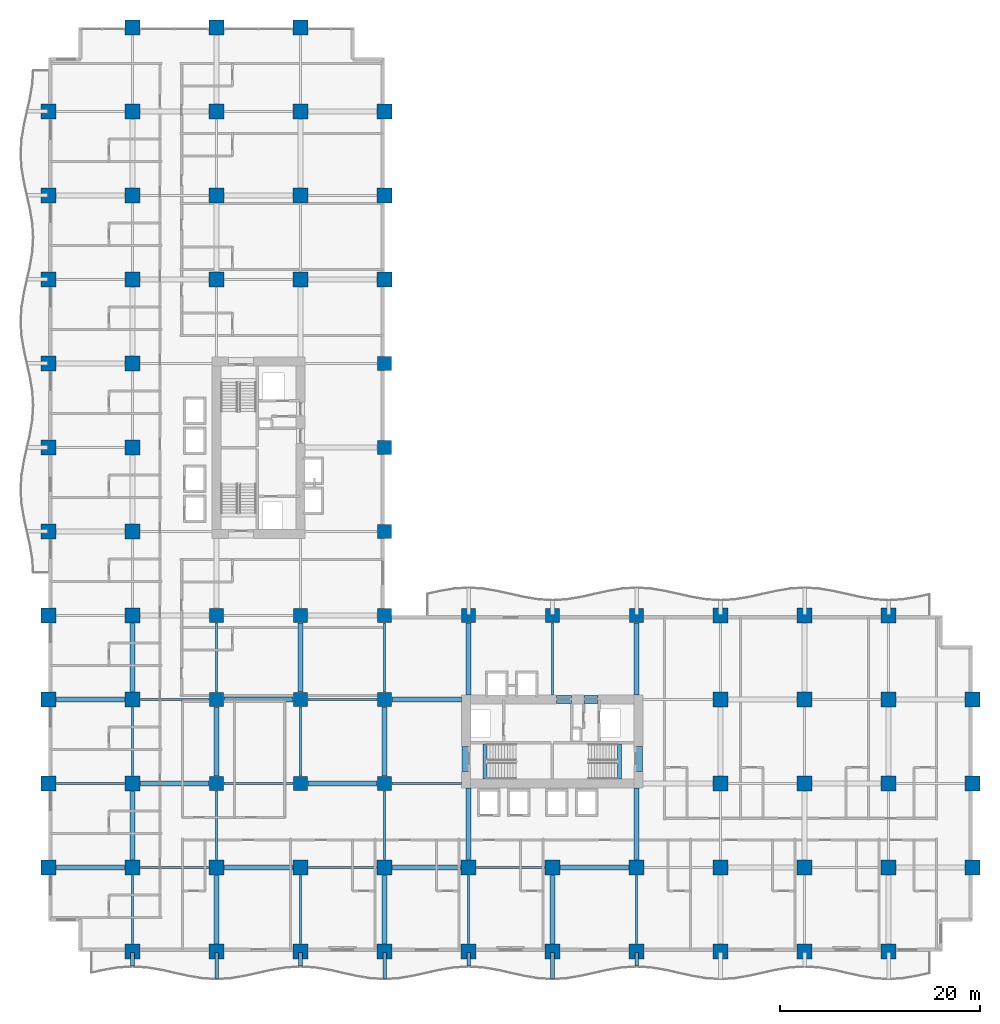
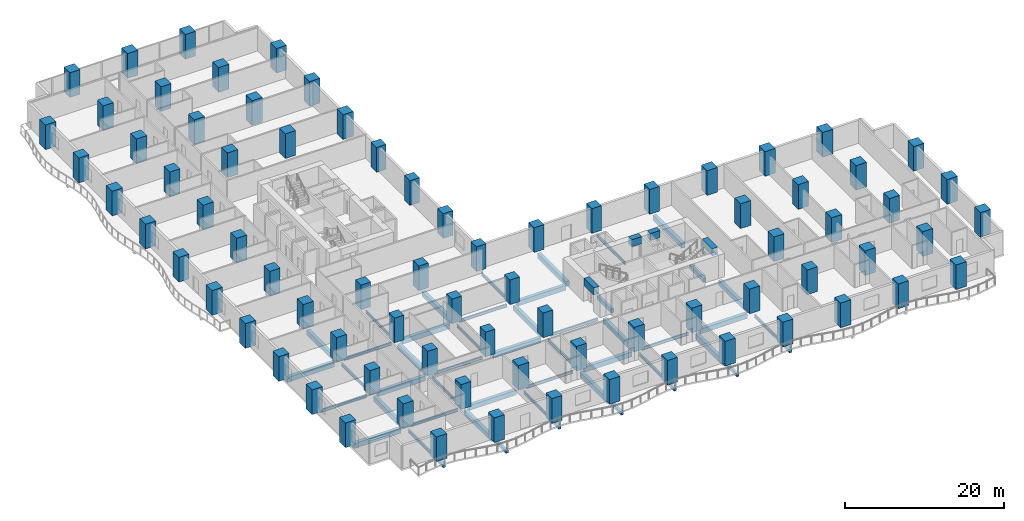
# One storey, part 1 of 23: 78 columns, 53 beams.
"""IFC4 building model written with IfcOpenShell, lengths in metres."""

from ifc_helpers import new_model, si_unit, direction, frame, origin, origin_2d, place, context, subcontext, project, spatial, rectangle, i_section, extrude, material, material_profile, profile_set, type_object, element, save


model = new_model("IFC4")

# Units and contexts
model_context = context("Model", 3, precision=1e-05, world=origin(), true_north=direction((0.0, 1.0)))
body_context = subcontext(model_context, "Body", "Model", "MODEL_VIEW")
ifc_project = project(units=[si_unit("LENGTHUNIT", "METRE"), si_unit("AREAUNIT", "SQUARE_METRE"), si_unit("VOLUMEUNIT", "CUBIC_METRE"), si_unit("PLANEANGLEUNIT", "RADIAN"), si_unit("MASSUNIT", "GRAM", prefix="KILO")], contexts=[model_context])

# Site, building, storey
site_placement = place(None, origin())
site = spatial("IfcSite", under=ifc_project, at=site_placement, CompositionType="ELEMENT")
building_placement = place(site_placement, origin())
building = spatial("IfcBuilding", under=site, at=building_placement, Name="Koriwani Terraces Tower", CompositionType="ELEMENT")
storey_placement = place(building_placement, frame((0.0, 0.0, 32.0)))
storey = spatial("IfcBuildingStorey", under=building, at=storey_placement, Name="L06", CompositionType="ELEMENT", Elevation=32.0)

# Columns
ifc_material_1 = material(Name="Concrete C60/75", Category="concrete")
ifc_material_profile_1 = material_profile(ifc_material_1, rectangle(XDim=1.39990234375, YDim=1.39990234375, at=origin_2d()), Name="Concrete C60/75", Category="LoadBearing")
ifc_profile_set_1 = profile_set([ifc_material_profile_1], Name="Concrete C60/75")
column_type_1 = type_object("IfcColumnType", Name="COL_RC_1400X1400", PredefinedType="COLUMN", material=ifc_profile_set_1)
for number, where, z_axis, x_axis, name in (
    (1, (16.800048828125, 16.800048828125, 0.0), (0.0, 0.0, 1.0), (1.0, 0.0, 0.0), "L06 Column 3/C"),
    (2, (16.800048828125, 25.199951171875, 0.0), (0.0, 0.0, 1.0), (1.0, 0.0, 0.0), "L06 Column 3/D"),
    (3, (16.800048828125, 33.60009765625, 0.0), (0.0, 0.0, 1.0), (1.0, 0.0, 0.0), "L06 Column 3/E"),
    (4, (25.199951171875, 16.800048828125, 0.0), (0.0, 0.0, 1.0), (1.0, 0.0, 0.0), "L06 Column 4/C"),
    (5, (25.199951171875, 25.199951171875, 0.0), (0.0, 0.0, 1.0), (1.0, 0.0, 0.0), "L06 Column 4/D"),
    (6, (25.199951171875, 33.60009765625, 0.0), (0.0, 0.0, 1.0), (1.0, 0.0, 0.0), "L06 Column 4/E"),
    (7, (33.60009765625, 16.800048828125, 0.0), (0.0, 0.0, 1.0), (1.0, 0.0, 0.0), "L06 Column 5/C"),
    (8, (33.60009765625, 25.199951171875, 0.0), (0.0, 0.0, 1.0), (1.0, 0.0, 0.0), "L06 Column 5/D"),
    (9, (33.60009765625, 33.60009765625, 0.0), (0.0, 0.0, 1.0), (1.0, 0.0, 0.0), "L06 Column 5/E"),
    (10, (33.60009765625, 42.0, 0.0), (0.0, 0.0, 1.0), (1.0, 0.0, 0.0), "L06 Column 5/F"),
    (11, (33.60009765625, 50.39990234375, 0.0), (0.0, 0.0, 1.0), (1.0, 0.0, 0.0), "L06 Column 5/G"),
    (12, (33.60009765625, 58.800048828125, 0.0), (0.0, 0.0, 1.0), (1.0, 0.0, 0.0), "L06 Column 5/H"),
    (13, (42.0, 33.60009765625, 0.0), (0.0, 0.0, 1.0), (1.0, 0.0, 0.0), "L06 Column 6/E"),
    (14, (50.39990234375, 33.60009765625, 0.0), (0.0, 0.0, 1.0), (1.0, 0.0, 0.0), "L06 Column 7/E"),
    (15, (58.800048828125, 33.60009765625, 0.0), (0.0, 0.0, 1.0), (1.0, 0.0, 0.0), "L06 Column 8/E"),
):
    element("IfcColumn", number, at=place(storey_placement, frame(where, z_axis=z_axis, x_axis=x_axis)), inside=storey, type_object=column_type_1, Name=name, PredefinedType="COLUMN", context=body_context, shape_type="SweptSolid", body=[
        extrude(rectangle(XDim=1.39990234375, YDim=1.39990234375, at=origin_2d()), origin(), (0.0, 0.0, 1.0), 3.800048828125),
    ])
ifc_material_profile_2 = material_profile(ifc_material_1, rectangle(XDim=1.5, YDim=1.5, at=origin_2d()), Name="Concrete C60/75", Category="LoadBearing")
ifc_profile_set_2 = profile_set([ifc_material_profile_2], Name="Concrete C60/75")
column_type_2 = type_object("IfcColumnType", Name="COL_RC_1500X1500", PredefinedType="COLUMN", material=ifc_profile_set_2)
for number, where, z_axis, x_axis, name in (
    (16, (0.0, 8.39990234375, 0.0), (0.0, 0.0, 1.0), (1.0, 0.0, 0.0), "L06 Column 1/B"),
    (17, (0.0, 16.800048828125, 0.0), (0.0, 0.0, 1.0), (1.0, 0.0, 0.0), "L06 Column 1/C"),
    (18, (0.0, 25.199951171875, 0.0), (0.0, 0.0, 1.0), (1.0, 0.0, 0.0), "L06 Column 1/D"),
    (19, (0.0, 33.60009765625, 0.0), (0.0, 0.0, 1.0), (1.0, 0.0, 0.0), "L06 Column 1/E"),
    (20, (0.0, 42.0, 0.0), (0.0, 0.0, 1.0), (1.0, 0.0, 0.0), "L06 Column 1/F"),
    (21, (0.0, 50.39990234375, 0.0), (0.0, 0.0, 1.0), (1.0, 0.0, 0.0), "L06 Column 1/G"),
    (22, (0.0, 58.800048828125, 0.0), (0.0, 0.0, 1.0), (1.0, 0.0, 0.0), "L06 Column 1/H"),
    (23, (0.0, 67.199951171875, 0.0), (0.0, 0.0, 1.0), (1.0, 0.0, 0.0), "L06 Column 1/I"),
    (24, (0.0, 75.60009765625, 0.0), (0.0, 0.0, 1.0), (1.0, 0.0, 0.0), "L06 Column 1/J"),
    (25, (0.0, 84.0, 0.0), (0.0, 0.0, 1.0), (1.0, 0.0, 0.0), "L06 Column 1/K"),
    (26, (8.39990234375, 0.0, 0.0), (0.0, 0.0, 1.0), (1.0, 0.0, 0.0), "L06 Column 2/A"),
    (27, (8.39990234375, 8.39990234375, 0.0), (0.0, 0.0, 1.0), (1.0, 0.0, 0.0), "L06 Column 2/B"),
    (28, (8.39990234375, 16.800048828125, 0.0), (0.0, 0.0, 1.0), (1.0, 0.0, 0.0), "L06 Column 2/C"),
    (29, (8.39990234375, 25.199951171875, 0.0), (0.0, 0.0, 1.0), (1.0, 0.0, 0.0), "L06 Column 2/D"),
    (30, (8.39990234375, 33.60009765625, 0.0), (0.0, 0.0, 1.0), (1.0, 0.0, 0.0), "L06 Column 2/E"),
    (31, (8.39990234375, 42.0, 0.0), (0.0, 0.0, 1.0), (1.0, 0.0, 0.0), "L06 Column 2/F"),
    (32, (8.39990234375, 50.39990234375, 0.0), (0.0, 0.0, 1.0), (1.0, 0.0, 0.0), "L06 Column 2/G"),
    (33, (8.39990234375, 58.800048828125, 0.0), (0.0, 0.0, 1.0), (1.0, 0.0, 0.0), "L06 Column 2/H"),
    (34, (8.39990234375, 67.199951171875, 0.0), (0.0, 0.0, 1.0), (1.0, 0.0, 0.0), "L06 Column 2/I"),
    (35, (8.39990234375, 75.60009765625, 0.0), (0.0, 0.0, 1.0), (1.0, 0.0, 0.0), "L06 Column 2/J"),
    (36, (8.39990234375, 84.0, 0.0), (0.0, 0.0, 1.0), (1.0, 0.0, 0.0), "L06 Column 2/K"),
    (37, (8.39990234375, 92.39990234375, 0.0), (0.0, 0.0, 1.0), (1.0, 0.0, 0.0), "L06 Column 2/L"),
    (38, (16.800048828125, 0.0, 0.0), (0.0, 0.0, 1.0), (1.0, 0.0, 0.0), "L06 Column 3/A"),
    (39, (16.800048828125, 8.39990234375, 0.0), (0.0, 0.0, 1.0), (1.0, 0.0, 0.0), "L06 Column 3/B"),
    (40, (16.800048828125, 67.199951171875, 0.0), (0.0, 0.0, 1.0), (1.0, 0.0, 0.0), "L06 Column 3/I"),
    (41, (16.800048828125, 75.60009765625, 0.0), (0.0, 0.0, 1.0), (1.0, 0.0, 0.0), "L06 Column 3/J"),
    (42, (16.800048828125, 84.0, 0.0), (0.0, 0.0, 1.0), (1.0, 0.0, 0.0), "L06 Column 3/K"),
    (43, (16.800048828125, 92.39990234375, 0.0), (0.0, 0.0, 1.0), (1.0, 0.0, 0.0), "L06 Column 3/L"),
    (44, (25.199951171875, 0.0, 0.0), (0.0, 0.0, 1.0), (1.0, 0.0, 0.0), "L06 Column 4/A"),
    (45, (25.199951171875, 8.39990234375, 0.0), (0.0, 0.0, 1.0), (1.0, 0.0, 0.0), "L06 Column 4/B"),
    (46, (25.199951171875, 67.199951171875, 0.0), (0.0, 0.0, 1.0), (1.0, 0.0, 0.0), "L06 Column 4/I"),
    (47, (25.199951171875, 75.60009765625, 0.0), (0.0, 0.0, 1.0), (1.0, 0.0, 0.0), "L06 Column 4/J"),
    (48, (25.199951171875, 84.0, 0.0), (0.0, 0.0, 1.0), (1.0, 0.0, 0.0), "L06 Column 4/K"),
    (49, (25.199951171875, 92.39990234375, 0.0), (0.0, 0.0, 1.0), (1.0, 0.0, 0.0), "L06 Column 4/L"),
    (50, (33.60009765625, 0.0, 0.0), (0.0, 0.0, 1.0), (1.0, 0.0, 0.0), "L06 Column 5/A"),
    (51, (33.60009765625, 8.39990234375, 0.0), (0.0, 0.0, 1.0), (1.0, 0.0, 0.0), "L06 Column 5/B"),
    (52, (33.60009765625, 67.199951171875, 0.0), (0.0, 0.0, 1.0), (1.0, 0.0, 0.0), "L06 Column 5/I"),
    (53, (33.60009765625, 75.60009765625, 0.0), (0.0, 0.0, 1.0), (1.0, 0.0, 0.0), "L06 Column 5/J"),
    (54, (33.60009765625, 84.0, 0.0), (0.0, 0.0, 1.0), (1.0, 0.0, 0.0), "L06 Column 5/K"),
    (55, (42.0, 0.0, 0.0), (0.0, 0.0, 1.0), (1.0, 0.0, 0.0), "L06 Column 6/A"),
    (56, (42.0, 8.39990234375, 0.0), (0.0, 0.0, 1.0), (1.0, 0.0, 0.0), "L06 Column 6/B"),
    (57, (50.39990234375, 0.0, 0.0), (0.0, 0.0, 1.0), (1.0, 0.0, 0.0), "L06 Column 7/A"),
    (58, (50.39990234375, 8.39990234375, 0.0), (0.0, 0.0, 1.0), (1.0, 0.0, 0.0), "L06 Column 7/B"),
    (59, (58.800048828125, 0.0, 0.0), (0.0, 0.0, 1.0), (1.0, 0.0, 0.0), "L06 Column 8/A"),
    (60, (58.800048828125, 8.39990234375, 0.0), (0.0, 0.0, 1.0), (1.0, 0.0, 0.0), "L06 Column 8/B"),
    (61, (67.199951171875, 0.0, 0.0), (0.0, 0.0, 1.0), (1.0, 0.0, 0.0), "L06 Column 9/A"),
    (62, (67.199951171875, 8.39990234375, 0.0), (0.0, 0.0, 1.0), (1.0, 0.0, 0.0), "L06 Column 9/B"),
    (63, (67.199951171875, 16.800048828125, 0.0), (0.0, 0.0, 1.0), (1.0, 0.0, 0.0), "L06 Column 9/C"),
    (64, (67.199951171875, 25.199951171875, 0.0), (0.0, 0.0, 1.0), (1.0, 0.0, 0.0), "L06 Column 9/D"),
    (65, (67.199951171875, 33.60009765625, 0.0), (0.0, 0.0, 1.0), (1.0, 0.0, 0.0), "L06 Column 9/E"),
    (66, (75.60009765625, 0.0, 0.0), (0.0, 0.0, 1.0), (1.0, 0.0, 0.0), "L06 Column 10/A"),
    (67, (75.60009765625, 8.39990234375, 0.0), (0.0, 0.0, 1.0), (1.0, 0.0, 0.0), "L06 Column 10/B"),
    (68, (75.60009765625, 16.800048828125, 0.0), (0.0, 0.0, 1.0), (1.0, 0.0, 0.0), "L06 Column 10/C"),
    (69, (75.60009765625, 25.199951171875, 0.0), (0.0, 0.0, 1.0), (1.0, 0.0, 0.0), "L06 Column 10/D"),
    (70, (75.60009765625, 33.60009765625, 0.0), (0.0, 0.0, 1.0), (1.0, 0.0, 0.0), "L06 Column 10/E"),
    (71, (84.0, 0.0, 0.0), (0.0, 0.0, 1.0), (1.0, 0.0, 0.0), "L06 Column 11/A"),
    (72, (84.0, 8.39990234375, 0.0), (0.0, 0.0, 1.0), (1.0, 0.0, 0.0), "L06 Column 11/B"),
    (73, (84.0, 16.800048828125, 0.0), (0.0, 0.0, 1.0), (1.0, 0.0, 0.0), "L06 Column 11/C"),
    (74, (84.0, 25.199951171875, 0.0), (0.0, 0.0, 1.0), (1.0, 0.0, 0.0), "L06 Column 11/D"),
    (75, (84.0, 33.60009765625, 0.0), (0.0, 0.0, 1.0), (1.0, 0.0, 0.0), "L06 Column 11/E"),
    (76, (92.39990234375, 8.39990234375, 0.0), (0.0, 0.0, 1.0), (1.0, 0.0, 0.0), "L06 Column 12/B"),
    (77, (92.39990234375, 16.800048828125, 0.0), (0.0, 0.0, 1.0), (1.0, 0.0, 0.0), "L06 Column 12/C"),
    (78, (92.39990234375, 25.199951171875, 0.0), (0.0, 0.0, 1.0), (1.0, 0.0, 0.0), "L06 Column 12/D"),
):
    element("IfcColumn", number, at=place(storey_placement, frame(where, z_axis=z_axis, x_axis=x_axis)), inside=storey, type_object=column_type_2, Name=name, PredefinedType="COLUMN", context=body_context, shape_type="SweptSolid", body=[
        extrude(rectangle(XDim=1.5, YDim=1.5, at=origin_2d()), origin(), (0.0, 0.0, 1.0), 3.800048828125),
    ])

# Beams
ifc_material_2 = material(Name="Concrete C40/50", Category="concrete")
ifc_material_profile_3 = material_profile(ifc_material_2, rectangle(XDim=0.35009765625, YDim=0.449951171875, at=origin_2d()), Name="Concrete C40/50", Category="LoadBearing")
ifc_profile_set_3 = profile_set([ifc_material_profile_3], Name="Concrete C40/50")
beam_type_1 = type_object("IfcBeamType", Name="BEAM_RC_BALCONY_RIB_350X450", PredefinedType="JOIST", material=ifc_profile_set_3)
beam_1_placement = place(storey_placement, frame((8.39990234375, -1.449951171875, -0.47509765625), z_axis=(0.0, 1.0, 0.0), x_axis=(-1.0, 0.0, 0.0)))
element("IfcBeam", 79, at=beam_1_placement, inside=storey, type_object=beam_type_1, Name="L06 Balcony Bracket Rib S-1", PredefinedType="JOIST", context=body_context, shape_type="SweptSolid", body=[
    extrude(rectangle(XDim=0.35009765625, YDim=0.449951171875, at=origin_2d()), origin(), (0.0, 0.0, 1.0), 1.349853515625),
])
beam_2_placement = place(storey_placement, frame((16.800048828125, -2.699951171875, -0.47509765625), z_axis=(0.0, 1.0, 0.0), x_axis=(-1.0, 0.0, 0.0)))
element("IfcBeam", 80, at=beam_2_placement, inside=storey, type_object=beam_type_1, Name="L06 Balcony Bracket Rib S-2", PredefinedType="JOIST", context=body_context, shape_type="SweptSolid", body=[
    extrude(rectangle(XDim=0.35009765625, YDim=0.449951171875, at=origin_2d()), origin(), (0.0, 0.0, 1.0), 2.599853515625),
])
beam_3_placement = place(storey_placement, frame((25.199951171875, -1.449951171875, -0.47509765625), z_axis=(0.0, 1.0, 0.0), x_axis=(-1.0, 0.0, 0.0)))
element("IfcBeam", 81, at=beam_3_placement, inside=storey, type_object=beam_type_1, Name="L06 Balcony Bracket Rib S-3", PredefinedType="JOIST", context=body_context, shape_type="SweptSolid", body=[
    extrude(rectangle(XDim=0.35009765625, YDim=0.449951171875, at=origin_2d()), origin(), (0.0, 0.0, 1.0), 1.349853515625),
])
beam_4_placement = place(storey_placement, frame((33.60009765625, -2.699951171875, -0.47509765625), z_axis=(0.0, 1.0, 0.0), x_axis=(-1.0, 0.0, 0.0)))
element("IfcBeam", 82, at=beam_4_placement, inside=storey, type_object=beam_type_1, Name="L06 Balcony Bracket Rib S-4", PredefinedType="JOIST", context=body_context, shape_type="SweptSolid", body=[
    extrude(rectangle(XDim=0.35009765625, YDim=0.449951171875, at=origin_2d()), origin(), (0.0, 0.0, 1.0), 2.599853515625),
])
beam_5_placement = place(storey_placement, frame((42.0, -1.449951171875, -0.47509765625), z_axis=(0.0, 1.0, 0.0), x_axis=(-1.0, 0.0, 0.0)))
element("IfcBeam", 83, at=beam_5_placement, inside=storey, type_object=beam_type_1, Name="L06 Balcony Bracket Rib S-5", PredefinedType="JOIST", context=body_context, shape_type="SweptSolid", body=[
    extrude(rectangle(XDim=0.35009765625, YDim=0.449951171875, at=origin_2d()), origin(), (0.0, 0.0, 1.0), 1.349853515625),
])
beam_6_placement = place(storey_placement, frame((50.39990234375, -2.699951171875, -0.47509765625), z_axis=(0.0, 1.0, 0.0), x_axis=(-1.0, 0.0, 0.0)))
element("IfcBeam", 84, at=beam_6_placement, inside=storey, type_object=beam_type_1, Name="L06 Balcony Bracket Rib S-6", PredefinedType="JOIST", context=body_context, shape_type="SweptSolid", body=[
    extrude(rectangle(XDim=0.35009765625, YDim=0.449951171875, at=origin_2d()), origin(), (0.0, 0.0, 1.0), 2.599853515625),
])
beam_7_placement = place(storey_placement, frame((58.800048828125, -1.449951171875, -0.47509765625), z_axis=(0.0, 1.0, 0.0), x_axis=(-1.0, 0.0, 0.0)))
element("IfcBeam", 85, at=beam_7_placement, inside=storey, type_object=beam_type_1, Name="L06 Balcony Bracket Rib S-7", PredefinedType="JOIST", context=body_context, shape_type="SweptSolid", body=[
    extrude(rectangle(XDim=0.35009765625, YDim=0.449951171875, at=origin_2d()), origin(), (0.0, 0.0, 1.0), 1.349853515625),
])
ifc_material_profile_4 = material_profile(ifc_material_1, rectangle(XDim=0.800048828125, YDim=1.10009765625, at=origin_2d()), Name="Concrete C60/75", Category="LoadBearing")
ifc_profile_set_4 = profile_set([ifc_material_profile_4], Name="Concrete C60/75")
beam_type_2 = type_object("IfcBeamType", Name="BEAM_RC_COUPLING_800X1100", PredefinedType="LINTEL", material=ifc_profile_set_4)
beam_8_placement = place(storey_placement, frame((50.800048828125, 25.199951171875, 3.0), z_axis=(1.0, 0.0, 0.0), x_axis=(0.0, 1.0, 0.0)))
element("IfcBeam", 86, at=beam_8_placement, inside=storey, type_object=beam_type_2, Name="L06 Core Coupling Lintel Beam EN1", PredefinedType="LINTEL", context=body_context, shape_type="SweptSolid", body=[
    extrude(rectangle(XDim=0.800048828125, YDim=1.10009765625, at=origin_2d()), origin(), (0.0, 0.0, 1.0), 1.47998046875),
])
beam_9_placement = place(storey_placement, frame((53.550048828125, 25.199951171875, 3.0), z_axis=(1.0, 0.0, 0.0), x_axis=(0.0, 1.0, 0.0)))
element("IfcBeam", 87, at=beam_9_placement, inside=storey, type_object=beam_type_2, Name="L06 Core Coupling Lintel Beam EN2", PredefinedType="LINTEL", context=body_context, shape_type="SweptSolid", body=[
    extrude(rectangle(XDim=0.800048828125, YDim=1.10009765625, at=origin_2d()), origin(), (0.0, 0.0, 1.0), 1.39990234375),
])
for number, where, z_axis, x_axis, name in (
    (88, (41.75, 18.0, 3.0), (0.0, 1.0, 0.0), (-1.0, 0.0, 0.0), "L06 Core Coupling Lintel Beam EW"),
    (89, (59.0, 18.0, 3.0), (0.0, 1.0, 0.0), (-1.0, 0.0, 0.0), "L06 Core Coupling Lintel Beam EE"),
):
    element("IfcBeam", number, at=place(storey_placement, frame(where, z_axis=z_axis, x_axis=x_axis)), inside=storey, type_object=beam_type_2, Name=name, PredefinedType="LINTEL", context=body_context, shape_type="SweptSolid", body=[
        extrude(rectangle(XDim=0.800048828125, YDim=1.10009765625, at=origin_2d()), origin(), (0.0, 0.0, 1.0), 2.5),
    ])
ifc_material_profile_5 = material_profile(ifc_material_2, rectangle(XDim=0.39990234375, YDim=0.60009765625, at=origin_2d()), Name="Concrete C40/50", Category="LoadBearing")
ifc_profile_set_5 = profile_set([ifc_material_profile_5], Name="Concrete C40/50")
beam_type_3 = type_object("IfcBeamType", Name="BEAM_RC_GRID_400X600", PredefinedType="BEAM", material=ifc_profile_set_5)
for number, where, z_axis, x_axis, name in (
    (90, (43.655029296875, 17.25, -0.300048828125), (0.0, 1.0, 0.0), (-1.0, 0.0, 0.0), "L06 Stairwell Header Trimmer Beam ST-E1"),
    (91, (57.094970703125, 17.25, -0.300048828125), (0.0, 1.0, 0.0), (-1.0, 0.0, 0.0), "L06 Stairwell Header Trimmer Beam ST-E2"),
):
    element("IfcBeam", number, at=place(storey_placement, frame(where, z_axis=z_axis, x_axis=x_axis)), inside=storey, type_object=beam_type_3, Name=name, PredefinedType="BEAM", context=body_context, shape_type="SweptSolid", body=[
        extrude(rectangle(XDim=0.39990234375, YDim=0.60009765625, at=origin_2d()), origin(), (0.0, 0.0, 1.0), 3.5),
    ])
ifc_material_3 = material(Name="Concrete C50/60", Category="concrete")
ifc_material_profile_6 = material_profile(ifc_material_3, rectangle(XDim=0.5, YDim=0.75, at=origin_2d()), Name="Concrete C50/60", Category="LoadBearing")
ifc_profile_set_6 = profile_set([ifc_material_profile_6], Name="Concrete C50/60")
beam_type_4 = type_object("IfcBeamType", Name="BEAM_RC_GRID_500X750", PredefinedType="BEAM", material=ifc_profile_set_6)
beam_10_placement = place(storey_placement, frame((0.780029296875, 8.39990234375, -0.625), z_axis=(1.0, 0.0, 0.0), x_axis=(0.0, 1.0, 0.0)))
element("IfcBeam", 92, at=beam_10_placement, inside=storey, type_object=beam_type_4, Name="L06 Grid Beam B (0.0-8.4m)", PredefinedType="BEAM", context=body_context, shape_type="SweptSolid", body=[
    extrude(rectangle(XDim=0.5, YDim=0.75, at=origin_2d()), origin(), (0.0, 0.0, 1.0), 6.840087890625),
])
beam_11_placement = place(storey_placement, frame((17.580078125, 8.39990234375, -0.625), z_axis=(1.0, 0.0, 0.0), x_axis=(0.0, 1.0, 0.0)))
element("IfcBeam", 93, at=beam_11_placement, inside=storey, type_object=beam_type_4, Name="L06 Grid Beam B (16.8-25.2m)", PredefinedType="BEAM", context=body_context, shape_type="SweptSolid", body=[
    extrude(rectangle(XDim=0.5, YDim=0.75, at=origin_2d()), origin(), (0.0, 0.0, 1.0), 6.83984375),
])
for number, where, z_axis, x_axis, name in (
    (94, (34.3798828125, 8.39990234375, -0.625), (1.0, 0.0, 0.0), (0.0, 1.0, 0.0), "L06 Grid Beam B (33.6-42.0m)"),
    (95, (51.179931640625, 8.39990234375, -0.625), (1.0, 0.0, 0.0), (0.0, 1.0, 0.0), "L06 Grid Beam B (50.4-58.8m)"),
):
    element("IfcBeam", number, at=place(storey_placement, frame(where, z_axis=z_axis, x_axis=x_axis)), inside=storey, type_object=beam_type_4, Name=name, PredefinedType="BEAM", context=body_context, shape_type="SweptSolid", body=[
        extrude(rectangle(XDim=0.5, YDim=0.75, at=origin_2d()), origin(), (0.0, 0.0, 1.0), 6.840087890625),
    ])
beam_12_placement = place(storey_placement, frame((9.179931640625, 16.800048828125, -0.625), z_axis=(1.0, 0.0, 0.0), x_axis=(0.0, 1.0, 0.0)))
element("IfcBeam", 96, at=beam_12_placement, inside=storey, type_object=beam_type_4, Name="L06 Grid Beam C (8.4-16.8m)", PredefinedType="BEAM", context=body_context, shape_type="SweptSolid", body=[
    extrude(rectangle(XDim=0.5, YDim=0.75, at=origin_2d()), origin(), (0.0, 0.0, 1.0), 6.89013671875),
])
beam_13_placement = place(storey_placement, frame((25.929931640625, 16.800048828125, -0.625), z_axis=(1.0, 0.0, 0.0), x_axis=(0.0, 1.0, 0.0)))
element("IfcBeam", 97, at=beam_13_placement, inside=storey, type_object=beam_type_4, Name="L06 Grid Beam C (25.2-33.6m)", PredefinedType="BEAM", context=body_context, shape_type="SweptSolid", body=[
    extrude(rectangle(XDim=0.5, YDim=0.75, at=origin_2d()), origin(), (0.0, 0.0, 1.0), 6.940185546875),
])
beam_14_placement = place(storey_placement, frame((0.780029296875, 25.199951171875, -0.625), z_axis=(1.0, 0.0, 0.0), x_axis=(0.0, 1.0, 0.0)))
element("IfcBeam", 98, at=beam_14_placement, inside=storey, type_object=beam_type_4, Name="L06 Grid Beam D (0.0-8.4m)", PredefinedType="BEAM", context=body_context, shape_type="SweptSolid", body=[
    extrude(rectangle(XDim=0.5, YDim=0.75, at=origin_2d()), origin(), (0.0, 0.0, 1.0), 6.840087890625),
])
beam_15_placement = place(storey_placement, frame((17.530029296875, 25.199951171875, -0.625), z_axis=(1.0, 0.0, 0.0), x_axis=(0.0, 1.0, 0.0)))
element("IfcBeam", 99, at=beam_15_placement, inside=storey, type_object=beam_type_4, Name="L06 Grid Beam D (16.8-25.2m)", PredefinedType="BEAM", context=body_context, shape_type="SweptSolid", body=[
    extrude(rectangle(XDim=0.5, YDim=0.75, at=origin_2d()), origin(), (0.0, 0.0, 1.0), 6.93994140625),
])
beam_16_placement = place(storey_placement, frame((34.330078125, 25.199951171875, -0.625), z_axis=(1.0, 0.0, 0.0), x_axis=(0.0, 1.0, 0.0)))
element("IfcBeam", 100, at=beam_16_placement, inside=storey, type_object=beam_type_4, Name="L06 Grid Beam D (33.6-42.0m)", PredefinedType="BEAM", context=body_context, shape_type="SweptSolid", body=[
    extrude(rectangle(XDim=0.5, YDim=0.75, at=origin_2d()), origin(), (0.0, 0.0, 1.0), 6.989990234375),
])
for number, where, z_axis, x_axis, name in (
    (101, (8.39990234375, 9.179931640625, -0.625), (0.0, 1.0, 0.0), (-1.0, 0.0, 0.0), "L06 Grid Beam 2 (8.4-16.8m)"),
    (102, (8.39990234375, 25.97998046875, -0.625), (0.0, 1.0, 0.0), (-1.0, 0.0, 0.0), "L06 Grid Beam 2 (25.2-33.6m)"),
    (103, (16.800048828125, 0.780029296875, -0.625), (0.0, 1.0, 0.0), (-1.0, 0.0, 0.0), "L06 Grid Beam 3 (0.0-8.4m)"),
):
    element("IfcBeam", number, at=place(storey_placement, frame(where, z_axis=z_axis, x_axis=x_axis)), inside=storey, type_object=beam_type_4, Name=name, PredefinedType="BEAM", context=body_context, shape_type="SweptSolid", body=[
        extrude(rectangle(XDim=0.5, YDim=0.75, at=origin_2d()), origin(), (0.0, 0.0, 1.0), 6.840087890625),
    ])
beam_17_placement = place(storey_placement, frame((16.800048828125, 17.530029296875, -0.625), z_axis=(0.0, 1.0, 0.0), x_axis=(-1.0, 0.0, 0.0)))
element("IfcBeam", 104, at=beam_17_placement, inside=storey, type_object=beam_type_4, Name="L06 Grid Beam 3 (16.8-25.2m)", PredefinedType="BEAM", context=body_context, shape_type="SweptSolid", body=[
    extrude(rectangle(XDim=0.5, YDim=0.75, at=origin_2d()), origin(), (0.0, 0.0, 1.0), 6.93994140625),
])
beam_18_placement = place(storey_placement, frame((25.199951171875, 25.929931640625, -0.625), z_axis=(0.0, 1.0, 0.0), x_axis=(-1.0, 0.0, 0.0)))
element("IfcBeam", 105, at=beam_18_placement, inside=storey, type_object=beam_type_4, Name="L06 Grid Beam 4 (25.2-33.6m)", PredefinedType="BEAM", context=body_context, shape_type="SweptSolid", body=[
    extrude(rectangle(XDim=0.5, YDim=0.75, at=origin_2d()), origin(), (0.0, 0.0, 1.0), 6.940185546875),
])
beam_19_placement = place(storey_placement, frame((33.60009765625, 0.780029296875, -0.625), z_axis=(0.0, 1.0, 0.0), x_axis=(-1.0, 0.0, 0.0)))
element("IfcBeam", 106, at=beam_19_placement, inside=storey, type_object=beam_type_4, Name="L06 Grid Beam 5 (0.0-8.4m)", PredefinedType="BEAM", context=body_context, shape_type="SweptSolid", body=[
    extrude(rectangle(XDim=0.5, YDim=0.75, at=origin_2d()), origin(), (0.0, 0.0, 1.0), 6.840087890625),
])
beam_20_placement = place(storey_placement, frame((33.60009765625, 17.530029296875, -0.625), z_axis=(0.0, 1.0, 0.0), x_axis=(-1.0, 0.0, 0.0)))
element("IfcBeam", 107, at=beam_20_placement, inside=storey, type_object=beam_type_4, Name="L06 Grid Beam 5 (16.8-25.2m)", PredefinedType="BEAM", context=body_context, shape_type="SweptSolid", body=[
    extrude(rectangle(XDim=0.5, YDim=0.75, at=origin_2d()), origin(), (0.0, 0.0, 1.0), 6.93994140625),
])
beam_21_placement = place(storey_placement, frame((42.0, 9.179931640625, -0.625), z_axis=(0.0, 1.0, 0.0), x_axis=(-1.0, 0.0, 0.0)))
element("IfcBeam", 108, at=beam_21_placement, inside=storey, type_object=beam_type_4, Name="L06 Grid Beam 6 (8.4-16.8m)", PredefinedType="BEAM", context=body_context, shape_type="SweptSolid", body=[
    extrude(rectangle(XDim=0.5, YDim=0.75, at=origin_2d()), origin(), (0.0, 0.0, 1.0), 7.190185546875),
])
beam_22_placement = place(storey_placement, frame((42.0, 25.6298828125, -0.625), z_axis=(0.0, 1.0, 0.0), x_axis=(-1.0, 0.0, 0.0)))
element("IfcBeam", 109, at=beam_22_placement, inside=storey, type_object=beam_type_4, Name="L06 Grid Beam 6 (25.2-33.6m)", PredefinedType="BEAM", context=body_context, shape_type="SweptSolid", body=[
    extrude(rectangle(XDim=0.5, YDim=0.75, at=origin_2d()), origin(), (0.0, 0.0, 1.0), 7.240234375),
])
beam_23_placement = place(storey_placement, frame((50.39990234375, 0.780029296875, -0.625), z_axis=(0.0, 1.0, 0.0), x_axis=(-1.0, 0.0, 0.0)))
element("IfcBeam", 110, at=beam_23_placement, inside=storey, type_object=beam_type_4, Name="L06 Grid Beam 7 (0.0-8.4m)", PredefinedType="BEAM", context=body_context, shape_type="SweptSolid", body=[
    extrude(rectangle(XDim=0.5, YDim=0.75, at=origin_2d()), origin(), (0.0, 0.0, 1.0), 6.840087890625),
])
beam_24_placement = place(storey_placement, frame((58.800048828125, 9.179931640625, -0.625), z_axis=(0.0, 1.0, 0.0), x_axis=(-1.0, 0.0, 0.0)))
element("IfcBeam", 111, at=beam_24_placement, inside=storey, type_object=beam_type_4, Name="L06 Grid Beam 8 (8.4-16.8m)", PredefinedType="BEAM", context=body_context, shape_type="SweptSolid", body=[
    extrude(rectangle(XDim=0.5, YDim=0.75, at=origin_2d()), origin(), (0.0, 0.0, 1.0), 7.190185546875),
])
beam_25_placement = place(storey_placement, frame((58.800048828125, 25.6298828125, -0.625), z_axis=(0.0, 1.0, 0.0), x_axis=(-1.0, 0.0, 0.0)))
element("IfcBeam", 112, at=beam_25_placement, inside=storey, type_object=beam_type_4, Name="L06 Grid Beam 8 (25.2-33.6m)", PredefinedType="BEAM", context=body_context, shape_type="SweptSolid", body=[
    extrude(rectangle(XDim=0.5, YDim=0.75, at=origin_2d()), origin(), (0.0, 0.0, 1.0), 7.240234375),
])
ifc_material_4 = material(Name="Steel ASTM A572 Grade 50", Category="steel")
ifc_material_profile_7 = material_profile(ifc_material_4, i_section(OverallWidth=0.193115234375, OverallDepth=0.462890625, WebThickness=0.0107421875, FlangeThickness=0.017333984375, at=origin_2d()), Name="Steel ASTM A572 Grade 50", Category="LoadBearing")
ifc_profile_set_7 = profile_set([ifc_material_profile_7], Name="Steel ASTM A572 Grade 50")
beam_type_5 = type_object("IfcBeamType", Name="STEEL_BEAM_W460X113", PredefinedType="BEAM", material=ifc_profile_set_7)
for number, where, z_axis, x_axis, name in (
    (113, (9.179931640625, 8.39990234375, -0.4814453125), (1.0, 0.0, 0.0), (0.0, 1.0, 0.0), "L06 Grid Beam B (8.4-16.8m)"),
    (114, (25.97998046875, 8.39990234375, -0.4814453125), (1.0, 0.0, 0.0), (0.0, 1.0, 0.0), "L06 Grid Beam B (25.2-33.6m)"),
    (115, (42.780029296875, 8.39990234375, -0.4814453125), (1.0, 0.0, 0.0), (0.0, 1.0, 0.0), "L06 Grid Beam B (42.0-50.4m)"),
    (116, (0.780029296875, 16.800048828125, -0.4814453125), (1.0, 0.0, 0.0), (0.0, 1.0, 0.0), "L06 Grid Beam C (0.0-8.4m)"),
):
    element("IfcBeam", number, at=place(storey_placement, frame(where, z_axis=z_axis, x_axis=x_axis)), inside=storey, type_object=beam_type_5, Name=name, PredefinedType="BEAM", context=body_context, shape_type="SweptSolid", body=[
        extrude(i_section(OverallWidth=0.193115234375, OverallDepth=0.462890625, WebThickness=0.0107421875, FlangeThickness=0.017333984375, at=origin_2d()), origin(), (0.0, 0.0, 1.0), 6.840087890625),
    ])
beam_26_placement = place(storey_placement, frame((17.530029296875, 16.800048828125, -0.4814453125), z_axis=(1.0, 0.0, 0.0), x_axis=(0.0, 1.0, 0.0)))
element("IfcBeam", 117, at=beam_26_placement, inside=storey, type_object=beam_type_5, Name="L06 Grid Beam C (16.8-25.2m)", PredefinedType="BEAM", context=body_context, shape_type="SweptSolid", body=[
    extrude(i_section(OverallWidth=0.193115234375, OverallDepth=0.462890625, WebThickness=0.0107421875, FlangeThickness=0.017333984375, at=origin_2d()), origin(), (0.0, 0.0, 1.0), 6.93994140625),
])
beam_27_placement = place(storey_placement, frame((34.330078125, 16.800048828125, -0.4814453125), z_axis=(1.0, 0.0, 0.0), x_axis=(0.0, 1.0, 0.0)))
element("IfcBeam", 118, at=beam_27_placement, inside=storey, type_object=beam_type_5, Name="L06 Grid Beam C (33.6-42.0m)", PredefinedType="BEAM", context=body_context, shape_type="SweptSolid", body=[
    extrude(i_section(OverallWidth=0.193115234375, OverallDepth=0.462890625, WebThickness=0.0107421875, FlangeThickness=0.017333984375, at=origin_2d()), origin(), (0.0, 0.0, 1.0), 6.989990234375),
])
beam_28_placement = place(storey_placement, frame((9.179931640625, 25.199951171875, -0.4814453125), z_axis=(1.0, 0.0, 0.0), x_axis=(0.0, 1.0, 0.0)))
element("IfcBeam", 119, at=beam_28_placement, inside=storey, type_object=beam_type_5, Name="L06 Grid Beam D (8.4-16.8m)", PredefinedType="BEAM", context=body_context, shape_type="SweptSolid", body=[
    extrude(i_section(OverallWidth=0.193115234375, OverallDepth=0.462890625, WebThickness=0.0107421875, FlangeThickness=0.017333984375, at=origin_2d()), origin(), (0.0, 0.0, 1.0), 6.89013671875),
])
beam_29_placement = place(storey_placement, frame((25.929931640625, 25.199951171875, -0.4814453125), z_axis=(1.0, 0.0, 0.0), x_axis=(0.0, 1.0, 0.0)))
element("IfcBeam", 120, at=beam_29_placement, inside=storey, type_object=beam_type_5, Name="L06 Grid Beam D (25.2-33.6m)", PredefinedType="BEAM", context=body_context, shape_type="SweptSolid", body=[
    extrude(i_section(OverallWidth=0.193115234375, OverallDepth=0.462890625, WebThickness=0.0107421875, FlangeThickness=0.017333984375, at=origin_2d()), origin(), (0.0, 0.0, 1.0), 6.940185546875),
])
beam_30_placement = place(storey_placement, frame((8.39990234375, 0.780029296875, -0.4814453125), z_axis=(0.0, 1.0, 0.0), x_axis=(-1.0, 0.0, 0.0)))
element("IfcBeam", 121, at=beam_30_placement, inside=storey, type_object=beam_type_5, Name="L06 Grid Beam 2 (0.0-8.4m)", PredefinedType="BEAM", context=body_context, shape_type="SweptSolid", body=[
    extrude(i_section(OverallWidth=0.193115234375, OverallDepth=0.462890625, WebThickness=0.0107421875, FlangeThickness=0.017333984375, at=origin_2d()), origin(), (0.0, 0.0, 1.0), 6.840087890625),
])
beam_31_placement = place(storey_placement, frame((8.39990234375, 17.580078125, -0.4814453125), z_axis=(0.0, 1.0, 0.0), x_axis=(-1.0, 0.0, 0.0)))
element("IfcBeam", 122, at=beam_31_placement, inside=storey, type_object=beam_type_5, Name="L06 Grid Beam 2 (16.8-25.2m)", PredefinedType="BEAM", context=body_context, shape_type="SweptSolid", body=[
    extrude(i_section(OverallWidth=0.193115234375, OverallDepth=0.462890625, WebThickness=0.0107421875, FlangeThickness=0.017333984375, at=origin_2d()), origin(), (0.0, 0.0, 1.0), 6.83984375),
])
beam_32_placement = place(storey_placement, frame((16.800048828125, 9.179931640625, -0.4814453125), z_axis=(0.0, 1.0, 0.0), x_axis=(-1.0, 0.0, 0.0)))
element("IfcBeam", 123, at=beam_32_placement, inside=storey, type_object=beam_type_5, Name="L06 Grid Beam 3 (8.4-16.8m)", PredefinedType="BEAM", context=body_context, shape_type="SweptSolid", body=[
    extrude(i_section(OverallWidth=0.193115234375, OverallDepth=0.462890625, WebThickness=0.0107421875, FlangeThickness=0.017333984375, at=origin_2d()), origin(), (0.0, 0.0, 1.0), 6.89013671875),
])
beam_33_placement = place(storey_placement, frame((16.800048828125, 25.929931640625, -0.4814453125), z_axis=(0.0, 1.0, 0.0), x_axis=(-1.0, 0.0, 0.0)))
element("IfcBeam", 124, at=beam_33_placement, inside=storey, type_object=beam_type_5, Name="L06 Grid Beam 3 (25.2-33.6m)", PredefinedType="BEAM", context=body_context, shape_type="SweptSolid", body=[
    extrude(i_section(OverallWidth=0.193115234375, OverallDepth=0.462890625, WebThickness=0.0107421875, FlangeThickness=0.017333984375, at=origin_2d()), origin(), (0.0, 0.0, 1.0), 6.940185546875),
])
beam_34_placement = place(storey_placement, frame((25.199951171875, 0.780029296875, -0.4814453125), z_axis=(0.0, 1.0, 0.0), x_axis=(-1.0, 0.0, 0.0)))
element("IfcBeam", 125, at=beam_34_placement, inside=storey, type_object=beam_type_5, Name="L06 Grid Beam 4 (0.0-8.4m)", PredefinedType="BEAM", context=body_context, shape_type="SweptSolid", body=[
    extrude(i_section(OverallWidth=0.193115234375, OverallDepth=0.462890625, WebThickness=0.0107421875, FlangeThickness=0.017333984375, at=origin_2d()), origin(), (0.0, 0.0, 1.0), 6.840087890625),
])
beam_35_placement = place(storey_placement, frame((25.199951171875, 17.530029296875, -0.4814453125), z_axis=(0.0, 1.0, 0.0), x_axis=(-1.0, 0.0, 0.0)))
element("IfcBeam", 126, at=beam_35_placement, inside=storey, type_object=beam_type_5, Name="L06 Grid Beam 4 (16.8-25.2m)", PredefinedType="BEAM", context=body_context, shape_type="SweptSolid", body=[
    extrude(i_section(OverallWidth=0.193115234375, OverallDepth=0.462890625, WebThickness=0.0107421875, FlangeThickness=0.017333984375, at=origin_2d()), origin(), (0.0, 0.0, 1.0), 6.93994140625),
])
beam_36_placement = place(storey_placement, frame((33.60009765625, 9.179931640625, -0.4814453125), z_axis=(0.0, 1.0, 0.0), x_axis=(-1.0, 0.0, 0.0)))
element("IfcBeam", 127, at=beam_36_placement, inside=storey, type_object=beam_type_5, Name="L06 Grid Beam 5 (8.4-16.8m)", PredefinedType="BEAM", context=body_context, shape_type="SweptSolid", body=[
    extrude(i_section(OverallWidth=0.193115234375, OverallDepth=0.462890625, WebThickness=0.0107421875, FlangeThickness=0.017333984375, at=origin_2d()), origin(), (0.0, 0.0, 1.0), 6.89013671875),
])
beam_37_placement = place(storey_placement, frame((33.60009765625, 25.929931640625, -0.4814453125), z_axis=(0.0, 1.0, 0.0), x_axis=(-1.0, 0.0, 0.0)))
element("IfcBeam", 128, at=beam_37_placement, inside=storey, type_object=beam_type_5, Name="L06 Grid Beam 5 (25.2-33.6m)", PredefinedType="BEAM", context=body_context, shape_type="SweptSolid", body=[
    extrude(i_section(OverallWidth=0.193115234375, OverallDepth=0.462890625, WebThickness=0.0107421875, FlangeThickness=0.017333984375, at=origin_2d()), origin(), (0.0, 0.0, 1.0), 6.940185546875),
])
beam_38_placement = place(storey_placement, frame((42.0, 0.780029296875, -0.4814453125), z_axis=(0.0, 1.0, 0.0), x_axis=(-1.0, 0.0, 0.0)))
element("IfcBeam", 129, at=beam_38_placement, inside=storey, type_object=beam_type_5, Name="L06 Grid Beam 6 (0.0-8.4m)", PredefinedType="BEAM", context=body_context, shape_type="SweptSolid", body=[
    extrude(i_section(OverallWidth=0.193115234375, OverallDepth=0.462890625, WebThickness=0.0107421875, FlangeThickness=0.017333984375, at=origin_2d()), origin(), (0.0, 0.0, 1.0), 6.840087890625),
])
beam_39_placement = place(storey_placement, frame((50.39990234375, 25.6298828125, -0.4814453125), z_axis=(0.0, 1.0, 0.0), x_axis=(-1.0, 0.0, 0.0)))
element("IfcBeam", 130, at=beam_39_placement, inside=storey, type_object=beam_type_5, Name="L06 Grid Beam 7 (25.2-33.6m)", PredefinedType="BEAM", context=body_context, shape_type="SweptSolid", body=[
    extrude(i_section(OverallWidth=0.193115234375, OverallDepth=0.462890625, WebThickness=0.0107421875, FlangeThickness=0.017333984375, at=origin_2d()), origin(), (0.0, 0.0, 1.0), 7.240234375),
])
beam_40_placement = place(storey_placement, frame((58.800048828125, 0.780029296875, -0.4814453125), z_axis=(0.0, 1.0, 0.0), x_axis=(-1.0, 0.0, 0.0)))
element("IfcBeam", 131, at=beam_40_placement, inside=storey, type_object=beam_type_5, Name="L06 Grid Beam 8 (0.0-8.4m)", PredefinedType="BEAM", context=body_context, shape_type="SweptSolid", body=[
    extrude(i_section(OverallWidth=0.193115234375, OverallDepth=0.462890625, WebThickness=0.0107421875, FlangeThickness=0.017333984375, at=origin_2d()), origin(), (0.0, 0.0, 1.0), 6.840087890625),
])

save(model, "model.ifc")
